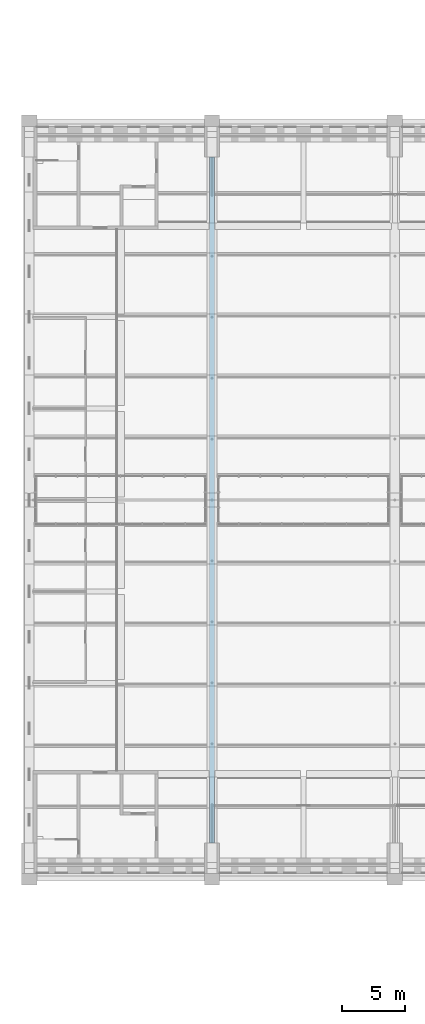
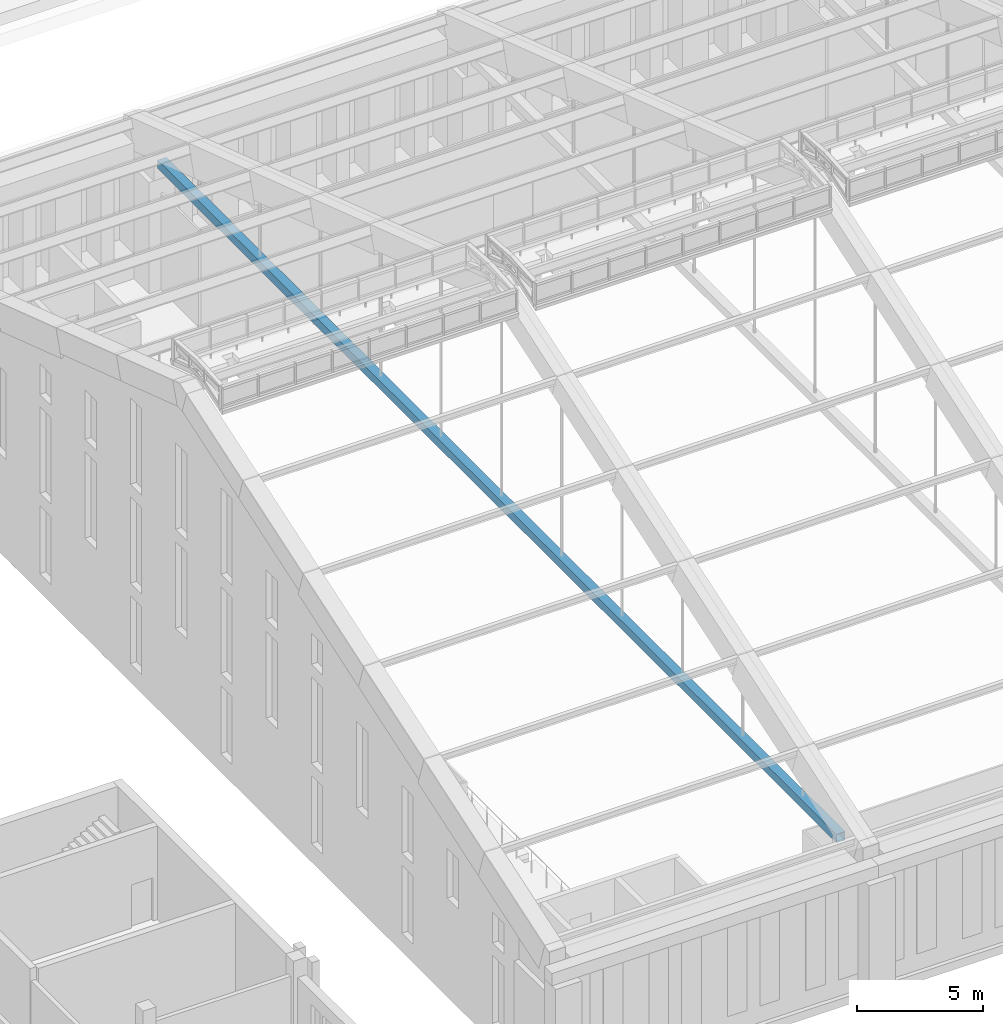
# One storey, part 33 of 149: 1 member.
"""IFC4 building model written with IfcOpenShell, lengths in metres."""

from ifc_helpers import new_model, si_unit, direction, frame, origin, origin_2d, place, context, subcontext, project, spatial, hollow_rectangle, extrude, material, material_profile, profile_set, type_object, element, save


model = new_model("IFC4")

# Units and contexts
model_context = context("Model", 3, precision=1e-05, world=origin(), true_north=direction((0.0, 1.0)))
body_context = subcontext(model_context, "Body", "Model", "MODEL_VIEW")
ifc_project = project(units=[si_unit("LENGTHUNIT", "METRE"), si_unit("AREAUNIT", "SQUARE_METRE"), si_unit("VOLUMEUNIT", "CUBIC_METRE"), si_unit("PLANEANGLEUNIT", "RADIAN"), si_unit("MASSUNIT", "GRAM", prefix="KILO")], contexts=[model_context])

# Site, building, storey
site_placement = place(None, origin())
site = spatial("IfcSite", under=ifc_project, at=site_placement, CompositionType="ELEMENT")
building_placement = place(site_placement, origin())
building = spatial("IfcBuilding", under=site, at=building_placement, Name="Alderwick Market Hall", CompositionType="ELEMENT")
storey_placement = place(building_placement, frame((0.0, 0.0, 9.60009765625)))
storey = spatial("IfcBuildingStorey", under=building, at=storey_placement, Name="L01", CompositionType="ELEMENT", Elevation=9.60009765625)

# Member
ifc_material = material(Name="Steel ASTM A500 Grade C", Category="steel")
ifc_material_profile = material_profile(ifc_material, hollow_rectangle(XDim=0.406494140625, YDim=0.406494140625, WallThickness=0.0146484375, at=origin_2d()), Name="HSS16x16x5/8")
ifc_profile_set = profile_set([ifc_material_profile], Name="Steel ASTM A500 Grade C")
member_type = type_object("IfcMemberType", Name="R Tie HSS16x16x5/8", PredefinedType="USERDEFINED", material=ifc_profile_set)
member_placement = place(storey_placement, frame((64.800048828125, 52.199951171875, 6.14990234375), z_axis=(0.0, 1.0, 0.0), x_axis=(-1.0, 0.0, 0.0)))
element("IfcMember", 1, at=member_placement, inside=storey, type_object=member_type, Name="Arch tie 2", ObjectType="TIE", PredefinedType="USERDEFINED", context=body_context, shape_type="SweptSolid", body=[
    extrude(hollow_rectangle(XDim=0.406494140625, YDim=0.406494140625, WallThickness=0.0146484375, at=origin_2d()), origin(), (0.0, 0.0, 1.0), 54.0),
])

save(model, "model.ifc")
